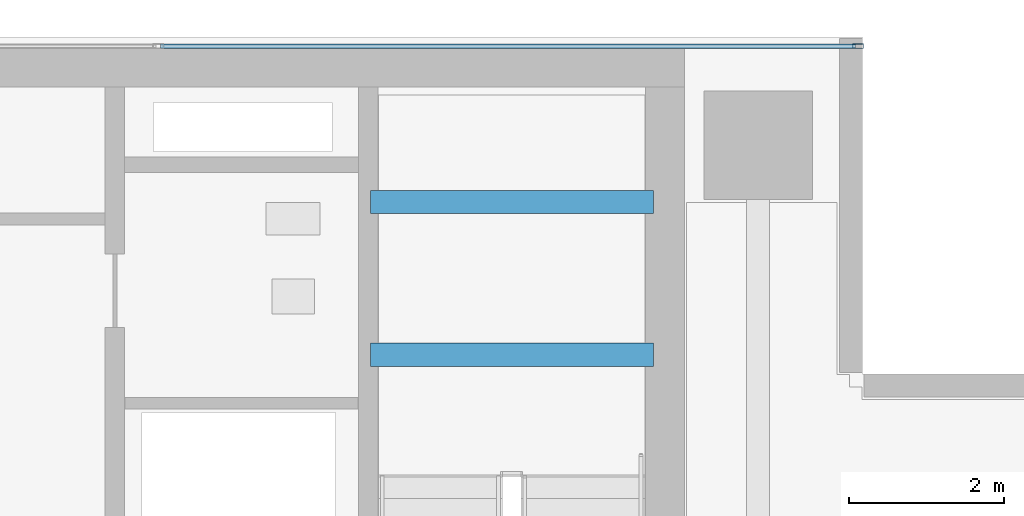
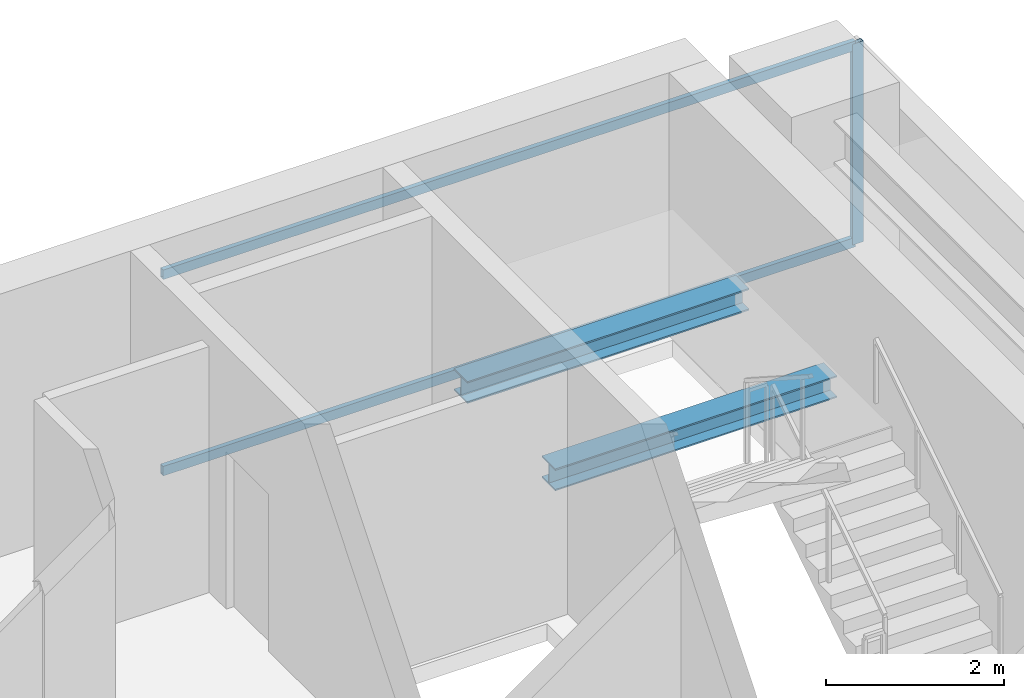
# One storey, part 18 of 25: 3 members, 2 beams, 1 element without a shape of its own.
"""IFC4 building model written with IfcOpenShell, lengths in metres."""

import ifcopenshell
import ifcopenshell.guid

model = None  # the IFC model being written
_history = None  # IfcOwnerHistory: only IFC2X3 demands one
_inside = {}  # id of a spatial element -> (the spatial element, [elements in it])
_under = {}  # id of a project, library or spatial element -> (it, [spatial elements below it])
_declared = {}  # id of a project -> (the project, [libraries it declares])
_typed = {}  # id of a type object -> (the type object, [elements of that type])
_made_of = {}  # id of a material, layer set ... -> (it, [elements and type objects made of it])


def new_model(schema):
    """Start an empty IFC model of exactly this schema.

    Asked for "IFC4X3", IfcOpenShell would pick the latest addendum, in which some entities
    have other attributes; the version numbers below select the first issue.
    IFC2X3 requires an IfcOwnerHistory on every rooted entity: one is made here for all.
    """
    global model, _history
    if schema == "IFC4X3":
        model = ifcopenshell.file(schema_version=(4, 3, 0, 0))
    else:
        model = ifcopenshell.file(schema=schema)
    _inside.clear()
    _under.clear()
    _declared.clear()
    _typed.clear()
    _made_of.clear()
    _history = None
    if model.schema == "IFC2X3":
        org = make("IfcOrganization", Name="unknown")
        user = make(
            "IfcPersonAndOrganization",
            ThePerson=make("IfcPerson", FamilyName="unknown"),
            TheOrganization=org,
        )
        app = make(
            "IfcApplication",
            ApplicationDeveloper=org,
            Version="unknown",
            ApplicationFullName="unknown",
            ApplicationIdentifier="unknown",
        )
        _history = make(
            "IfcOwnerHistory",
            OwningUser=user,
            OwningApplication=app,
            ChangeAction="ADDED",
            CreationDate=0,
        )
    return model


def make(cls, **values):
    """One entity of the class cls with the attributes given. An attribute that is None is left unset."""
    return model.create_entity(
        cls, **{name: value for name, value in values.items() if value is not None}
    )


def rooted(cls, **values):
    """An entity with a GlobalId (a new one), such as an element, a storey or a relation."""
    return make(cls, GlobalId=ifcopenshell.guid.new(), OwnerHistory=_history, **values)


def si_unit(unit_type, name, prefix=None):
    """IfcSIUnit, for example si_unit("LENGTHUNIT", "METRE", prefix="MILLI")."""
    return make("IfcSIUnit", UnitType=unit_type, Prefix=prefix, Name=name)


def assignment(units):
    """IfcUnitAssignment: the units of a project."""
    return None if units is None else make("IfcUnitAssignment", Units=units)


def point(xyz):
    """IfcCartesianPoint."""
    return None if xyz is None else make("IfcCartesianPoint", Coordinates=xyz)


def direction(xyz):
    """IfcDirection."""
    return None if xyz is None else make("IfcDirection", DirectionRatios=xyz)


def frame(location, z_axis=None, x_axis=None):
    """IfcAxis2Placement3D, a coordinate frame: its origin and axes. An axis left out is left unset."""
    return make(
        "IfcAxis2Placement3D",
        Location=point(location),
        Axis=direction(z_axis),
        RefDirection=direction(x_axis),
    )


def frame_2d(location, x_axis=None):
    """IfcAxis2Placement2D, a coordinate frame in the plane: its origin and x axis."""
    return make(
        "IfcAxis2Placement2D", Location=point(location), RefDirection=direction(x_axis)
    )


def origin():
    """The frame at (0, 0, 0) with its axes left unset."""
    return frame((0.0, 0.0, 0.0))


def origin_2d():
    """The frame at (0, 0) in the plane with its x axis left unset."""
    return frame_2d((0.0, 0.0))


def place(relative_to, where):
    """IfcLocalPlacement: puts the frame where relative to a parent placement (None: the world)."""
    return make(
        "IfcLocalPlacement", PlacementRelTo=relative_to, RelativePlacement=where
    )


def context(
    kind, dimensions, precision=None, world=None, true_north=None, identifier=None
):
    """IfcGeometricRepresentationContext, for example the 3D "Model" context."""
    return make(
        "IfcGeometricRepresentationContext",
        ContextIdentifier=identifier,
        ContextType=kind,
        CoordinateSpaceDimension=dimensions,
        Precision=precision,
        WorldCoordinateSystem=world,
        TrueNorth=true_north,
    )


def subcontext(parent, identifier, kind, view, scale=None):
    """IfcGeometricRepresentationSubContext, for example "Body" below "Model"."""
    return make(
        "IfcGeometricRepresentationSubContext",
        ContextIdentifier=identifier,
        ContextType=kind,
        ParentContext=parent,
        TargetScale=scale,
        TargetView=view,
    )


def project(units=None, contexts=None):
    """IfcProject with its units and contexts."""
    return rooted(
        "IfcProject",
        Name="project",
        RepresentationContexts=contexts,
        UnitsInContext=assignment(units),
    )


def spatial(cls, under=None, at=None, **own):
    """A site, building, storey or space (cls), placed at a placement, below another one or the project."""
    s = rooted(cls, ObjectPlacement=at, **own)
    if under is not None:
        _under.setdefault(under.id(), (under, []))[1].append(s)
    return s


def profile(cls, at=None, kind="AREA", **sizes):
    """A parametric profile (cls). Its sizes go by their IFC names, for example OverallWidth=200.0."""
    return make(cls, ProfileType=kind, Position=at, **sizes)


def hollow_rectangle(**sizes):
    """IfcRectangleHollowProfileDef."""
    return profile("IfcRectangleHollowProfileDef", **sizes)


def i_section(**sizes):
    """IfcIShapeProfileDef."""
    return profile("IfcIShapeProfileDef", **sizes)


def extrude(swept, where, along, depth):
    """IfcExtrudedAreaSolid: the profile swept, set in the frame where, extruded along a direction by depth."""
    return make(
        "IfcExtrudedAreaSolid",
        SweptArea=swept,
        Position=where,
        ExtrudedDirection=direction(along),
        Depth=depth,
    )


def shape(context_of_items, identifier, shape_type, items):
    """IfcShapeRepresentation: the items that make up one representation, for example the "Body"."""
    return make(
        "IfcShapeRepresentation",
        ContextOfItems=context_of_items,
        RepresentationIdentifier=identifier,
        RepresentationType=shape_type,
        Items=items,
    )


def source(mapping_origin, context_of_items, identifier, shape_type, items):
    """IfcRepresentationMap: a shape defined once, which mapped items show again and again."""
    return make(
        "IfcRepresentationMap",
        MappingOrigin=mapping_origin,
        MappedRepresentation=shape(context_of_items, identifier, shape_type, items),
    )


def transform(
    local_origin,
    x_axis=None,
    y_axis=None,
    z_axis=None,
    scale=None,
    scale2=None,
    scale3=None,
    uniform=True,
):
    """IfcCartesianTransformationOperator3D, or its non-uniform kind. x_axis, y_axis, z_axis: its Axis1, 2, 3."""
    if uniform:
        return make(
            "IfcCartesianTransformationOperator3D",
            Axis1=direction(x_axis),
            Axis2=direction(y_axis),
            LocalOrigin=point(local_origin),
            Scale=scale,
            Axis3=direction(z_axis),
        )
    return make(
        "IfcCartesianTransformationOperator3DnonUniform",
        Axis1=direction(x_axis),
        Axis2=direction(y_axis),
        LocalOrigin=point(local_origin),
        Scale=scale,
        Axis3=direction(z_axis),
        Scale2=scale2,
        Scale3=scale3,
    )


def mapped(mapping_source, mapping_target):
    """IfcMappedItem: shows the shape of a source again, moved by a transform."""
    return make(
        "IfcMappedItem", MappingSource=mapping_source, MappingTarget=mapping_target
    )


def material(Name=None, Category=None):
    """IfcMaterial."""
    return make("IfcMaterial", Name=Name, Category=Category)


def layer(
    of_material, thickness, ventilated=None, Name=None, Category=None, Priority=None
):
    """IfcMaterialLayer: one layer of a wall or slab, of a material (None: an air gap)."""
    return make(
        "IfcMaterialLayer",
        Material=of_material,
        LayerThickness=thickness,
        IsVentilated=ventilated,
        Name=Name,
        Category=Category,
        Priority=Priority,
    )


def layer_set(layers, Name=None):
    """IfcMaterialLayerSet."""
    return make("IfcMaterialLayerSet", MaterialLayers=layers, LayerSetName=Name)


def material_profile(
    of_material, cross_section, Name=None, Category=None, Priority=None
):
    """IfcMaterialProfile: a cross section and its material."""
    return make(
        "IfcMaterialProfile",
        Name=Name,
        Material=of_material,
        Profile=cross_section,
        Priority=Priority,
        Category=Category,
    )


def profile_set(profiles, Name=None, composite=None):
    """IfcMaterialProfileSet."""
    return make(
        "IfcMaterialProfileSet",
        Name=Name,
        MaterialProfiles=profiles,
        CompositeProfile=composite,
    )


def made_of(thing, what):
    """Note that an element or type object is made of a material, layer set ...; save() writes the relation."""
    if what is not None:
        _made_of.setdefault(what.id(), (what, []))[1].append(thing)
    return thing


def type_object(cls, material=None, **own):
    """A type object (cls), such as IfcWallType, which elements share."""
    return made_of(rooted(cls, **own), material)


def element(
    cls,
    number,
    at=None,
    inside=None,
    cuts=None,
    type_object=None,
    material=None,
    context=None,
    identifier="Body",
    shape_type=None,
    held_by="IfcProductDefinitionShape",
    body=None,
    shapes=None,
    **own,
):
    """One element of the class cls, such as IfcWall. Its Tag is "e" and its number.

    at: its placement. inside: the storey or other place that contains it. cuts: it is an
    opening in that element (IfcRelVoidsElement). A single representation is given by context,
    identifier, shape_type and body (its items); several are given by shapes. held_by: the class
    of the entity that holds the representations. save() writes the other relations.
    """
    e = rooted(cls, Tag="e%d" % number, ObjectPlacement=at, **own)
    if body is not None:
        shapes = [shape(context, identifier, shape_type, body)]
    if shapes is not None:
        e.Representation = make(held_by, Representations=shapes)
    if inside is not None:
        _inside.setdefault(inside.id(), (inside, []))[1].append(e)
    if cuts is not None:
        rooted(
            "IfcRelVoidsElement", RelatingBuildingElement=cuts, RelatedOpeningElement=e
        )
    if type_object is not None:
        _typed.setdefault(type_object.id(), (type_object, []))[1].append(e)
    return made_of(e, material)


def aggregate(whole, parts):
    """IfcRelAggregates: a whole, such as a stair, and the parts it consists of."""
    return rooted("IfcRelAggregates", RelatingObject=whole, RelatedObjects=parts)


def save(model, path):
    """Write the relations noted so far, then the file.

    IfcRelAggregates (storeys below a building ...), IfcRelContainedInSpatialStructure (elements
    in a storey), IfcRelDefinesByType, IfcRelAssociatesMaterial and IfcRelDeclares: one each for
    every whole, place, type object, material and project.
    """
    for whole, parts in _under.values():
        aggregate(whole, parts)
    for where, things in _inside.values():
        rooted(
            "IfcRelContainedInSpatialStructure",
            RelatedElements=things,
            RelatingStructure=where,
        )
    for kind, things in _typed.values():
        rooted("IfcRelDefinesByType", RelatedObjects=things, RelatingType=kind)
    for what, things in _made_of.values():
        rooted("IfcRelAssociatesMaterial", RelatedObjects=things, RelatingMaterial=what)
    for by, libraries in _declared.values():
        rooted("IfcRelDeclares", RelatingContext=by, RelatedDefinitions=libraries)
    model.write(path)


model = new_model("IFC4")

# Units and contexts
model_context = context("Model", 3, precision=1e-05, world=origin(), true_north=direction((0.0, 1.0)))
body_context = subcontext(model_context, "Body", "Model", "MODEL_VIEW")
ifc_project = project(units=[si_unit("LENGTHUNIT", "METRE"), si_unit("AREAUNIT", "SQUARE_METRE"), si_unit("VOLUMEUNIT", "CUBIC_METRE"), si_unit("PLANEANGLEUNIT", "RADIAN"), si_unit("MASSUNIT", "GRAM", prefix="KILO")], contexts=[model_context])

# Site, building, storey
site_placement = place(None, origin())
site = spatial("IfcSite", under=ifc_project, at=site_placement, CompositionType="ELEMENT")
building_placement = place(site_placement, origin())
building = spatial("IfcBuilding", under=site, at=building_placement, Name="Sumidabori Civic Tower", CompositionType="ELEMENT")
storey_placement = place(building_placement, frame((0.0, 0.0, 246.800048828125)))
storey = spatial("IfcBuildingStorey", under=building, at=storey_placement, Name="L64", CompositionType="ELEMENT", Elevation=246.800048828125)

# Beams
ifc_material_1 = material(Name="Steel SN490", Category="steel")
ifc_material_profile_1 = material_profile(ifc_material_1, i_section(OverallWidth=0.300048828125, OverallDepth=0.300048828125, WebThickness=0.010986328125, FlangeThickness=0.01904296875, at=origin_2d()), Name="HE 300 B")
ifc_profile_set_1 = profile_set([ifc_material_profile_1], Name="Steel SN490")
beam_type = type_object("IfcBeamType", Name="BM-LDG-300", PredefinedType="BEAM", material=ifc_profile_set_1)
shared_shape_1 = source(origin(), body_context, "Body", "SweptSolid", [
    extrude(i_section(OverallWidth=0.300048828125, OverallDepth=0.300048828125, WebThickness=0.010986328125, FlangeThickness=0.01904296875, at=origin_2d()), origin(), (0.0, 0.0, 1.0), 3.64990234375),
])
for number, where, z_axis, x_axis, name in (
    (1, (11.800048828125, 20.09765625, 1.449951171875), (1.0, 0.0, 0.0), (0.0, 1.0, 0.0), "Stair ST-2 Landing Support Beam L64-1A"),
    (2, (11.800048828125, 22.069580078125, 1.449951171875), (1.0, 0.0, 0.0), (0.0, 1.0, 0.0), "Stair ST-2 Landing Trimmer Beam L64-1B"),
):
    element("IfcBeam", number, at=place(storey_placement, frame(where, z_axis=z_axis, x_axis=x_axis)), inside=storey, type_object=beam_type, Name=name, PredefinedType="BEAM", context=body_context, shape_type="MappedRepresentation", body=[
        mapped(shared_shape_1, transform((0.0, 0.0, 0.0), x_axis=(1.0, 0.0, 0.0), y_axis=(0.0, 1.0, 0.0), z_axis=(0.0, 0.0, 1.0), scale=1.0)),
    ])

# Curtain wall, members
ifc_material_2 = material(Name="Anodised Bronze Aluminium AW-6063-T6", Category="aluminium")
ifc_layer = layer(ifc_material_2, 0.179931640625, Name="Anodised Bronze Aluminium AW-6063-T6")
ifc_layer_set = layer_set([ifc_layer], Name="Anodised Bronze Aluminium AW-6063-T6")
curtain_wall_type = type_object("IfcCurtainWallType", Name="CW-SYS-5", PredefinedType="NOTDEFINED", material=ifc_layer_set)
curtain_wall_placement = place(storey_placement, origin())
curtain_wall = element("IfcCurtainWall", 3, at=curtain_wall_placement, inside=storey, type_object=curtain_wall_type, Name="Curtain Wall CW:L64:R07", PredefinedType="NOTDEFINED")
ifc_material_profile_2 = material_profile(ifc_material_2, hollow_rectangle(XDim=0.06005859375, YDim=0.139892578125, WallThickness=0.0048828125, at=origin_2d()), Name="ALU MULLION 140x60")
ifc_profile_set_2 = profile_set([ifc_material_profile_2], Name="Anodised Bronze Aluminium AW-6063-T6")
member_type_1 = type_object("IfcMemberType", Name="CW-MUL-140", PredefinedType="MULLION", material=ifc_profile_set_2)
shared_shape_2 = source(origin(), body_context, "Body", "SweptSolid", [
    extrude(hollow_rectangle(XDim=0.06005859375, YDim=0.139892578125, WallThickness=0.0048828125, at=origin_2d()), origin(), (0.0, 0.0, 1.0), 2.75),
])
member_1_placement = place(storey_placement, frame((18.090087890625, 24.080078125, 0.0), z_axis=(0.0, 0.0, 1.0), x_axis=(0.0, -1.0, 0.0)))
member_1 = element("IfcMember", 4, at=member_1_placement, type_object=member_type_1, Name="CW-5 mullion 1", PredefinedType="MULLION", context=body_context, shape_type="MappedRepresentation", body=[
    mapped(shared_shape_2, transform((0.0, 0.0, 0.0), x_axis=(1.0, 0.0, 0.0), y_axis=(0.0, 1.0, 0.0), z_axis=(0.0, 0.0, 1.0), scale=1.0)),
])
ifc_material_profile_3 = material_profile(ifc_material_2, hollow_rectangle(XDim=0.06005859375, YDim=0.1298828125, WallThickness=0.0048828125, at=origin_2d()), Name="ALU TRANSOM 130x60")
ifc_profile_set_3 = profile_set([ifc_material_profile_3], Name="Anodised Bronze Aluminium AW-6063-T6")
member_type_2 = type_object("IfcMemberType", Name="CW-TRN-130", PredefinedType="USERDEFINED", material=ifc_profile_set_3)
shared_shape_3 = source(origin(), body_context, "Body", "SweptSolid", [
    extrude(hollow_rectangle(XDim=0.06005859375, YDim=0.1298828125, WallThickness=0.0048828125, at=origin_2d()), origin(), (0.0, 0.0, 1.0), 8.969970703125),
])
member_2_placement = place(storey_placement, frame((18.06005859375, 24.080078125, 0.030029296875), z_axis=(-1.0, 0.0, 0.0), x_axis=(0.0, -1.0, 0.0)))
member_2 = element("IfcMember", 5, at=member_2_placement, type_object=member_type_2, Name="CW-5 transom 1.1", ObjectType="TRANSOM", PredefinedType="USERDEFINED", context=body_context, shape_type="MappedRepresentation", body=[
    mapped(shared_shape_3, transform((0.0, 0.0, 0.0), x_axis=(1.0, 0.0, 0.0), y_axis=(0.0, 1.0, 0.0), z_axis=(0.0, 0.0, 1.0), scale=1.0)),
])
member_3_placement = place(storey_placement, frame((18.06005859375, 24.080078125, 2.719970703125), z_axis=(-1.0, 0.0, 0.0), x_axis=(0.0, -1.0, 0.0)))
member_3 = element("IfcMember", 6, at=member_3_placement, type_object=member_type_2, Name="CW-5 transom 1.2", ObjectType="TRANSOM", PredefinedType="USERDEFINED", context=body_context, shape_type="MappedRepresentation", body=[
    mapped(shared_shape_3, transform((0.0, 0.0, 0.0), x_axis=(1.0, 0.0, 0.0), y_axis=(0.0, 1.0, 0.0), z_axis=(0.0, 0.0, 1.0), scale=1.0)),
])
aggregate(curtain_wall, [member_1, member_2, member_3])

save(model, "model.ifc")
